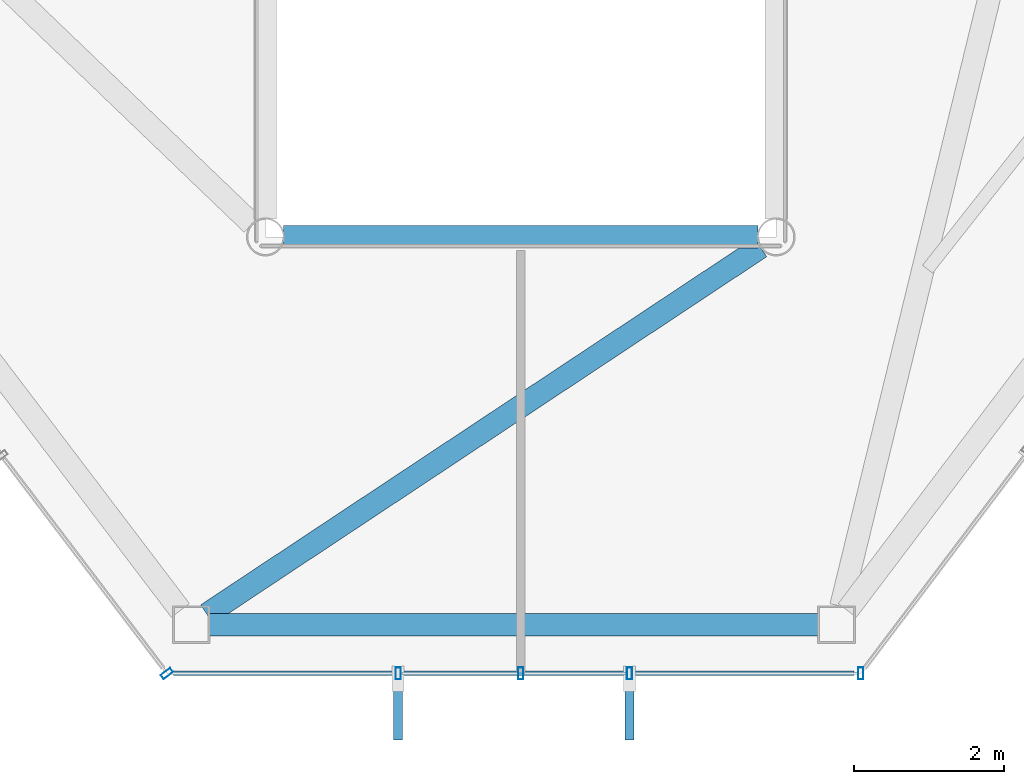
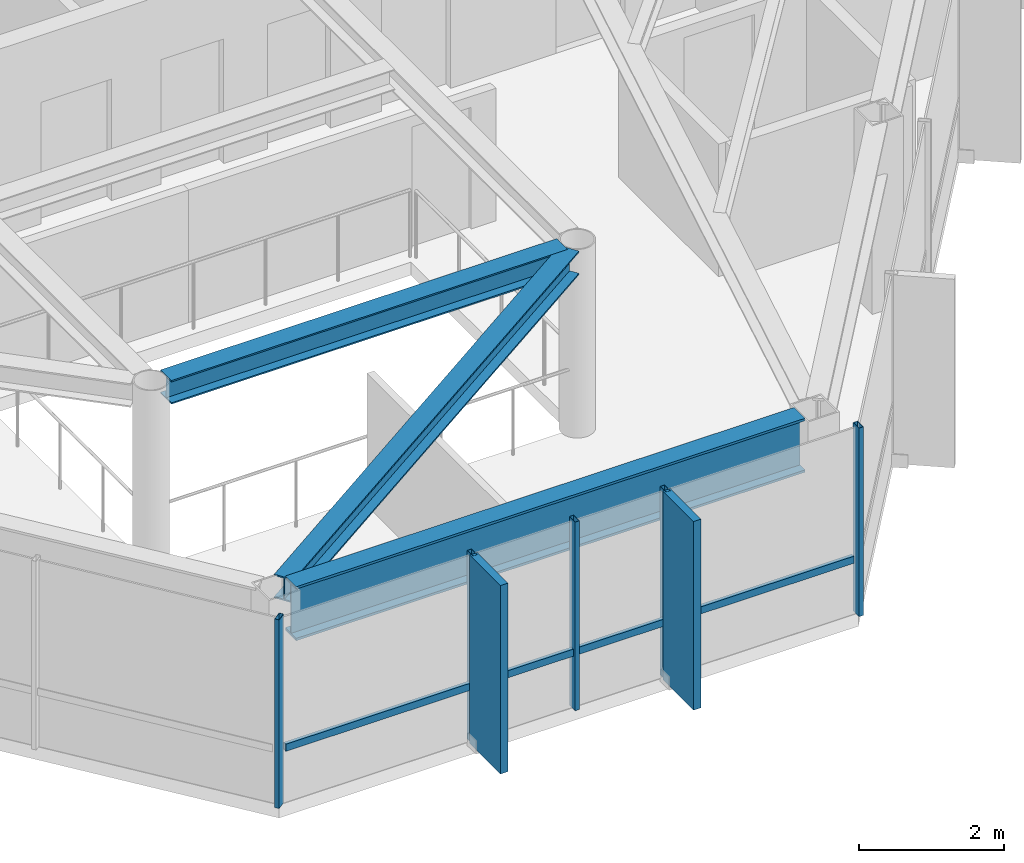
# One storey, part 5 of 24: 8 members, 3 beams, 2 elements without a shape of their own.
"""IFC4 building model written with IfcOpenShell, lengths in metres."""

from ifc_helpers import new_model, si_unit, direction, frame, origin, origin_2d, place, context, subcontext, project, spatial, rectangle, hollow_rectangle, i_section, extrude, material, layer, layer_set, material_profile, profile_set, type_object, element, aggregate, save


model = new_model("IFC4")

# Units and contexts
model_context = context("Model", 3, precision=1e-05, world=origin(), true_north=direction((0.0, 1.0)))
body_context = subcontext(model_context, "Body", "Model", "MODEL_VIEW")
ifc_project = project(units=[si_unit("LENGTHUNIT", "METRE"), si_unit("AREAUNIT", "SQUARE_METRE"), si_unit("VOLUMEUNIT", "CUBIC_METRE"), si_unit("PLANEANGLEUNIT", "RADIAN"), si_unit("MASSUNIT", "GRAM", prefix="KILO")], contexts=[model_context])

# Site, building, storey
site_placement = place(None, origin())
site = spatial("IfcSite", under=ifc_project, at=site_placement, CompositionType="ELEMENT")
building_placement = place(site_placement, origin())
building = spatial("IfcBuilding", under=site, at=building_placement, Name="Zarrinselat Tower", CompositionType="ELEMENT")
storey_placement = place(building_placement, frame((0.0, 0.0, 272.0)))
storey = spatial("IfcBuildingStorey", under=building, at=storey_placement, Name="L69", CompositionType="ELEMENT", Elevation=272.0)

# Beams
ifc_material_1 = material(Name="Steel S355J2", Category="steel")
ifc_material_profile_1 = material_profile(ifc_material_1, i_section(OverallWidth=0.300048828125, OverallDepth=0.39990234375, WebThickness=0.013427734375, FlangeThickness=0.02392578125, at=origin_2d()), Name="HEB 400")
ifc_profile_set_1 = profile_set([ifc_material_profile_1], Name="Steel S355J2")
beam_type_1 = type_object("IfcBeamType", Name="BM-HEB400", PredefinedType="BEAM", material=ifc_profile_set_1)
beam_1_placement = place(storey_placement, frame((35.239990234375, 25.199951171875, 2.97998046875), z_axis=(1.0, 0.0, 0.0), x_axis=(0.0, 1.0, 0.0)))
element("IfcBeam", 1, at=beam_1_placement, inside=storey, type_object=beam_type_1, Name="L69 Atrium Edge Beam S", PredefinedType="BEAM", context=body_context, shape_type="SweptSolid", body=[
    extrude(i_section(OverallWidth=0.300048828125, OverallDepth=0.39990234375, WebThickness=0.013427734375, FlangeThickness=0.02392578125, at=origin_2d()), origin(), (0.0, 0.0, 1.0), 6.320068359375),
])
beam_2_placement = place(storey_placement, frame((34.22119140625, 20.17724609375, 2.97998046875), z_axis=(0.833550978999, 0.552442544894, 0.0), x_axis=(-0.552442544894, 0.833550978999, 0.0)))
element("IfcBeam", 2, at=beam_2_placement, inside=storey, type_object=beam_type_1, Name="L69 Radial Primary Girder RG10", PredefinedType="BEAM", context=body_context, shape_type="SweptSolid", body=[
    extrude(i_section(OverallWidth=0.300048828125, OverallDepth=0.39990234375, WebThickness=0.013427734375, FlangeThickness=0.02392578125, at=origin_2d()), origin(), (0.0, 0.0, 1.0), 8.842041015625),
])
ifc_material_2 = material(Name="Steel S460M", Category="steel")
ifc_material_profile_2 = material_profile(ifc_material_2, i_section(OverallWidth=0.302001953125, OverallDepth=0.909912109375, WebThickness=0.02099609375, FlangeThickness=0.0400390625, at=origin_2d()), Name="HEM 900")
ifc_profile_set_2 = profile_set([ifc_material_profile_2], Name="Steel S460M")
beam_type_2 = type_object("IfcBeamType", Name="BM-HEM900", PredefinedType="BEAM", material=ifc_profile_set_2)
beam_3_placement = place(storey_placement, frame((34.2490234375, 20.0380859375, 2.72509765625), z_axis=(1.0, 0.0, 0.0), x_axis=(0.0, 1.0, 0.0)))
element("IfcBeam", 3, at=beam_3_placement, inside=storey, type_object=beam_type_2, Name="L69 Perimeter Spandrel Girder SP10", PredefinedType="BEAM", context=body_context, shape_type="SweptSolid", body=[
    extrude(i_section(OverallWidth=0.302001953125, OverallDepth=0.909912109375, WebThickness=0.02099609375, FlangeThickness=0.0400390625, at=origin_2d()), origin(), (0.0, 0.0, 1.0), 8.11669921875),
])

# Curtain wall, member
ifc_material_3 = material(Name="Extruded Aluminium Alloy EN AW-6063 T6", Category="aluminium")
ifc_layer = layer(ifc_material_3, 0.169921875)
ifc_layer_set = layer_set([ifc_layer], Name="Extruded Aluminium Alloy EN AW-6063 T6")
curtain_wall_type = type_object("IfcCurtainWallType", Name="CWS-RES", PredefinedType="NOTDEFINED", material=ifc_layer_set)
curtain_wall_1_placement = place(storey_placement, origin())
curtain_wall_1 = element("IfcCurtainWall", 4, at=curtain_wall_1_placement, inside=storey, type_object=curtain_wall_type, Name="L69 Unitised Curtain Wall CW-L69-E03", PredefinedType="NOTDEFINED")
ifc_material_4 = material(Name="Extruded Aluminium Alloy EN AW-6063 T6", Category="aluminium")
ifc_material_profile_3 = material_profile(ifc_material_4, hollow_rectangle(XDim=0.070068359375, YDim=0.159912109375, WallThickness=0.00390625, at=origin_2d()), Name="RHS 160x70x4")
ifc_profile_set_3 = profile_set([ifc_material_profile_3], Name="Extruded Aluminium Alloy EN AW-6063 T6")
member_type_1 = type_object("IfcMemberType", Name="MEM-CW-MUL2", PredefinedType="MULLION", material=ifc_profile_set_3)
member_1_placement = place(storey_placement, frame((33.6884765625, 19.387939453125, 0.0), z_axis=(0.0, 0.0, 1.0), x_axis=(0.604787567266, -0.796386839721, 0.0)))
member_1 = element("IfcMember", 5, at=member_1_placement, type_object=member_type_1, Name="CW-L69-E03 Mullion 11", PredefinedType="MULLION", context=body_context, shape_type="SweptSolid", body=[
    extrude(hollow_rectangle(XDim=0.070068359375, YDim=0.159912109375, WallThickness=0.00390625, at=origin_2d()), origin(), (0.0, 0.0, 1.0), 3.179931640625),
])
aggregate(curtain_wall_1, [member_1])

# Curtain wall, members
curtain_wall_2_placement = place(storey_placement, origin())
curtain_wall_2 = element("IfcCurtainWall", 6, at=curtain_wall_2_placement, inside=storey, type_object=curtain_wall_type, Name="L69 Unitised Curtain Wall CW-L69-E04", PredefinedType="NOTDEFINED")
member_2_placement = place(storey_placement, frame((36.76806640625, 19.387939453125, 0.0), z_axis=(0.0, 0.0, 1.0), x_axis=(1.0, 0.0, 0.0)))
member_2 = element("IfcMember", 7, at=member_2_placement, type_object=member_type_1, Name="CW-L69-E04 Mullion 1", PredefinedType="MULLION", context=body_context, shape_type="SweptSolid", body=[
    extrude(hollow_rectangle(XDim=0.070068359375, YDim=0.159912109375, WallThickness=0.00390625, at=origin_2d()), origin(), (0.0, 0.0, 1.0), 3.179931640625),
])
member_3_placement = place(storey_placement, frame((38.39990234375, 19.387939453125, 0.0), z_axis=(0.0, 0.0, 1.0), x_axis=(1.0, 0.0, 0.0)))
member_3 = element("IfcMember", 8, at=member_3_placement, type_object=member_type_1, Name="CW-L69-E04 Mullion 2", PredefinedType="MULLION", context=body_context, shape_type="SweptSolid", body=[
    extrude(hollow_rectangle(XDim=0.070068359375, YDim=0.159912109375, WallThickness=0.00390625, at=origin_2d()), origin(), (0.0, 0.0, 1.0), 3.179931640625),
])
member_4_placement = place(storey_placement, frame((39.84765625, 19.387939453125, 0.0), z_axis=(0.0, 0.0, 1.0), x_axis=(1.0, 0.0, 0.0)))
member_4 = element("IfcMember", 9, at=member_4_placement, type_object=member_type_1, Name="CW-L69-E04 Mullion 3", PredefinedType="MULLION", context=body_context, shape_type="SweptSolid", body=[
    extrude(hollow_rectangle(XDim=0.070068359375, YDim=0.159912109375, WallThickness=0.00390625, at=origin_2d()), origin(), (0.0, 0.0, 1.0), 3.179931640625),
])
member_5_placement = place(storey_placement, frame((42.927001953125, 19.387939453125, 0.0), z_axis=(0.0, 0.0, 1.0), x_axis=(1.0, 0.0, 0.0)))
member_5 = element("IfcMember", 10, at=member_5_placement, type_object=member_type_1, Name="CW-L69-E04 Mullion 4", PredefinedType="MULLION", context=body_context, shape_type="SweptSolid", body=[
    extrude(hollow_rectangle(XDim=0.070068359375, YDim=0.159912109375, WallThickness=0.00390625, at=origin_2d()), origin(), (0.0, 0.0, 1.0), 3.179931640625),
])
ifc_material_5 = material(Name="Extruded Aluminium Alloy EN AW-6063 T6", Category="aluminium")
ifc_material_profile_4 = material_profile(ifc_material_5, hollow_rectangle(XDim=0.06005859375, YDim=0.1201171875, WallThickness=0.00390625, at=origin_2d()), Name="RHS 120x60x4")
ifc_profile_set_4 = profile_set([ifc_material_profile_4], Name="Extruded Aluminium Alloy EN AW-6063 T6")
member_type_2 = type_object("IfcMemberType", Name="MEM-CW-TRN2", PredefinedType="USERDEFINED", material=ifc_profile_set_4)
member_6_placement = place(storey_placement, frame((33.778564453125, 19.387939453125, 0.949951171875), z_axis=(1.0, 0.0, 0.0), x_axis=(0.0, 1.0, 0.0)))
member_6 = element("IfcMember", 11, at=member_6_placement, type_object=member_type_2, Name="CW-L69-E04 Transom 1", ObjectType="TRANSOM", PredefinedType="USERDEFINED", context=body_context, shape_type="SweptSolid", body=[
    extrude(hollow_rectangle(XDim=0.06005859375, YDim=0.1201171875, WallThickness=0.00390625, at=origin_2d()), origin(), (0.0, 0.0, 1.0), 9.05859375),
])
ifc_material_6 = material(Name="Honed Cream Travertine Stone", Category="masonry")
ifc_material_profile_5 = material_profile(ifc_material_6, rectangle(XDim=0.1201171875, YDim=0.85009765625, at=origin_2d()), Name="FIN 850x120")
ifc_profile_set_5 = profile_set([ifc_material_profile_5], Name="Honed Cream Travertine Stone")
member_type_3 = type_object("IfcMemberType", Name="MEM-STONE-FIN", PredefinedType="USERDEFINED", material=ifc_profile_set_5)
member_7_placement = place(storey_placement, frame((36.76806640625, 18.927978515625, 0.0), z_axis=(0.0, 0.0, 1.0), x_axis=(-1.0, 0.0, 0.0)))
member_7 = element("IfcMember", 12, at=member_7_placement, type_object=member_type_3, Name="L69 Stone Shading Fin CW-L69-E04-01", ObjectType="FIN", PredefinedType="USERDEFINED", context=body_context, shape_type="SweptSolid", body=[
    extrude(rectangle(XDim=0.1201171875, YDim=0.85009765625, at=origin_2d()), origin(), (0.0, 0.0, 1.0), 3.179931640625),
])
member_8_placement = place(storey_placement, frame((39.84765625, 18.927978515625, 0.0), z_axis=(0.0, 0.0, 1.0), x_axis=(-1.0, 0.0, 0.0)))
member_8 = element("IfcMember", 13, at=member_8_placement, type_object=member_type_3, Name="L69 Stone Shading Fin CW-L69-E04-03", ObjectType="FIN", PredefinedType="USERDEFINED", context=body_context, shape_type="SweptSolid", body=[
    extrude(rectangle(XDim=0.1201171875, YDim=0.85009765625, at=origin_2d()), origin(), (0.0, 0.0, 1.0), 3.179931640625),
])
aggregate(curtain_wall_2, [member_2, member_7, member_3, member_4, member_8, member_5, member_6])

save(model, "model.ifc")
